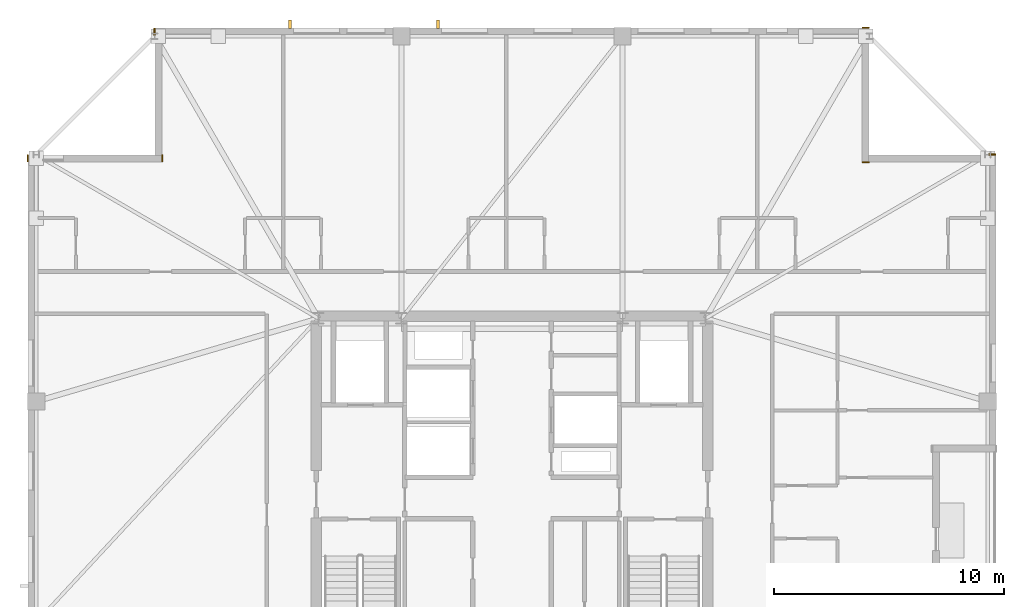
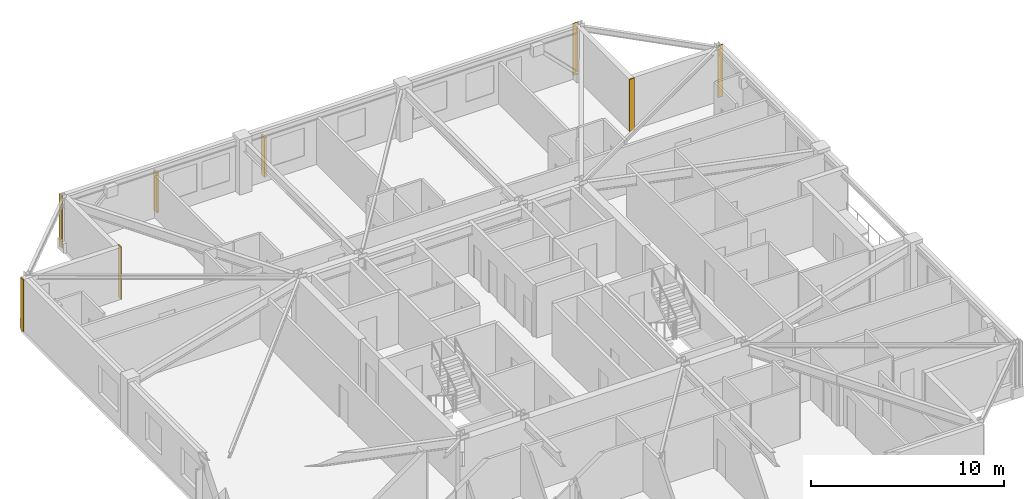
# One storey, part 14 of 14: 6 coverings, 2 shading devices.
"""IFC4 building model written with IfcOpenShell, lengths in metres."""

import ifcopenshell
import ifcopenshell.guid

model = None  # the IFC model being written
_history = None  # IfcOwnerHistory: only IFC2X3 demands one
_inside = {}  # id of a spatial element -> (the spatial element, [elements in it])
_under = {}  # id of a project, library or spatial element -> (it, [spatial elements below it])
_declared = {}  # id of a project -> (the project, [libraries it declares])
_typed = {}  # id of a type object -> (the type object, [elements of that type])
_made_of = {}  # id of a material, layer set ... -> (it, [elements and type objects made of it])


def new_model(schema):
    """Start an empty IFC model of exactly this schema.

    Asked for "IFC4X3", IfcOpenShell would pick the latest addendum, in which some entities
    have other attributes; the version numbers below select the first issue.
    IFC2X3 requires an IfcOwnerHistory on every rooted entity: one is made here for all.
    """
    global model, _history
    if schema == "IFC4X3":
        model = ifcopenshell.file(schema_version=(4, 3, 0, 0))
    else:
        model = ifcopenshell.file(schema=schema)
    _inside.clear()
    _under.clear()
    _declared.clear()
    _typed.clear()
    _made_of.clear()
    _history = None
    if model.schema == "IFC2X3":
        org = make("IfcOrganization", Name="unknown")
        user = make(
            "IfcPersonAndOrganization",
            ThePerson=make("IfcPerson", FamilyName="unknown"),
            TheOrganization=org,
        )
        app = make(
            "IfcApplication",
            ApplicationDeveloper=org,
            Version="unknown",
            ApplicationFullName="unknown",
            ApplicationIdentifier="unknown",
        )
        _history = make(
            "IfcOwnerHistory",
            OwningUser=user,
            OwningApplication=app,
            ChangeAction="ADDED",
            CreationDate=0,
        )
    return model


def make(cls, **values):
    """One entity of the class cls with the attributes given. An attribute that is None is left unset."""
    return model.create_entity(
        cls, **{name: value for name, value in values.items() if value is not None}
    )


def rooted(cls, **values):
    """An entity with a GlobalId (a new one), such as an element, a storey or a relation."""
    return make(cls, GlobalId=ifcopenshell.guid.new(), OwnerHistory=_history, **values)


def si_unit(unit_type, name, prefix=None):
    """IfcSIUnit, for example si_unit("LENGTHUNIT", "METRE", prefix="MILLI")."""
    return make("IfcSIUnit", UnitType=unit_type, Prefix=prefix, Name=name)


def assignment(units):
    """IfcUnitAssignment: the units of a project."""
    return None if units is None else make("IfcUnitAssignment", Units=units)


def point(xyz):
    """IfcCartesianPoint."""
    return None if xyz is None else make("IfcCartesianPoint", Coordinates=xyz)


def direction(xyz):
    """IfcDirection."""
    return None if xyz is None else make("IfcDirection", DirectionRatios=xyz)


def frame(location, z_axis=None, x_axis=None):
    """IfcAxis2Placement3D, a coordinate frame: its origin and axes. An axis left out is left unset."""
    return make(
        "IfcAxis2Placement3D",
        Location=point(location),
        Axis=direction(z_axis),
        RefDirection=direction(x_axis),
    )


def frame_2d(location, x_axis=None):
    """IfcAxis2Placement2D, a coordinate frame in the plane: its origin and x axis."""
    return make(
        "IfcAxis2Placement2D", Location=point(location), RefDirection=direction(x_axis)
    )


def origin():
    """The frame at (0, 0, 0) with its axes left unset."""
    return frame((0.0, 0.0, 0.0))


def origin_2d():
    """The frame at (0, 0) in the plane with its x axis left unset."""
    return frame_2d((0.0, 0.0))


def place(relative_to, where):
    """IfcLocalPlacement: puts the frame where relative to a parent placement (None: the world)."""
    return make(
        "IfcLocalPlacement", PlacementRelTo=relative_to, RelativePlacement=where
    )


def context(
    kind, dimensions, precision=None, world=None, true_north=None, identifier=None
):
    """IfcGeometricRepresentationContext, for example the 3D "Model" context."""
    return make(
        "IfcGeometricRepresentationContext",
        ContextIdentifier=identifier,
        ContextType=kind,
        CoordinateSpaceDimension=dimensions,
        Precision=precision,
        WorldCoordinateSystem=world,
        TrueNorth=true_north,
    )


def subcontext(parent, identifier, kind, view, scale=None):
    """IfcGeometricRepresentationSubContext, for example "Body" below "Model"."""
    return make(
        "IfcGeometricRepresentationSubContext",
        ContextIdentifier=identifier,
        ContextType=kind,
        ParentContext=parent,
        TargetScale=scale,
        TargetView=view,
    )


def project(units=None, contexts=None):
    """IfcProject with its units and contexts."""
    return rooted(
        "IfcProject",
        Name="project",
        RepresentationContexts=contexts,
        UnitsInContext=assignment(units),
    )


def spatial(cls, under=None, at=None, **own):
    """A site, building, storey or space (cls), placed at a placement, below another one or the project."""
    s = rooted(cls, ObjectPlacement=at, **own)
    if under is not None:
        _under.setdefault(under.id(), (under, []))[1].append(s)
    return s


def profile(cls, at=None, kind="AREA", **sizes):
    """A parametric profile (cls). Its sizes go by their IFC names, for example OverallWidth=200.0."""
    return make(cls, ProfileType=kind, Position=at, **sizes)


def rectangle(**sizes):
    """IfcRectangleProfileDef."""
    return profile("IfcRectangleProfileDef", **sizes)


def extrude(swept, where, along, depth):
    """IfcExtrudedAreaSolid: the profile swept, set in the frame where, extruded along a direction by depth."""
    return make(
        "IfcExtrudedAreaSolid",
        SweptArea=swept,
        Position=where,
        ExtrudedDirection=direction(along),
        Depth=depth,
    )


def shape(context_of_items, identifier, shape_type, items):
    """IfcShapeRepresentation: the items that make up one representation, for example the "Body"."""
    return make(
        "IfcShapeRepresentation",
        ContextOfItems=context_of_items,
        RepresentationIdentifier=identifier,
        RepresentationType=shape_type,
        Items=items,
    )


def material(Name=None, Category=None):
    """IfcMaterial."""
    return make("IfcMaterial", Name=Name, Category=Category)


def layer(
    of_material, thickness, ventilated=None, Name=None, Category=None, Priority=None
):
    """IfcMaterialLayer: one layer of a wall or slab, of a material (None: an air gap)."""
    return make(
        "IfcMaterialLayer",
        Material=of_material,
        LayerThickness=thickness,
        IsVentilated=ventilated,
        Name=Name,
        Category=Category,
        Priority=Priority,
    )


def layer_set(layers, Name=None):
    """IfcMaterialLayerSet."""
    return make("IfcMaterialLayerSet", MaterialLayers=layers, LayerSetName=Name)


def made_of(thing, what):
    """Note that an element or type object is made of a material, layer set ...; save() writes the relation."""
    if what is not None:
        _made_of.setdefault(what.id(), (what, []))[1].append(thing)
    return thing


def type_object(cls, material=None, **own):
    """A type object (cls), such as IfcWallType, which elements share."""
    return made_of(rooted(cls, **own), material)


def element(
    cls,
    number,
    at=None,
    inside=None,
    cuts=None,
    type_object=None,
    material=None,
    context=None,
    identifier="Body",
    shape_type=None,
    held_by="IfcProductDefinitionShape",
    body=None,
    shapes=None,
    **own,
):
    """One element of the class cls, such as IfcWall. Its Tag is "e" and its number.

    at: its placement. inside: the storey or other place that contains it. cuts: it is an
    opening in that element (IfcRelVoidsElement). A single representation is given by context,
    identifier, shape_type and body (its items); several are given by shapes. held_by: the class
    of the entity that holds the representations. save() writes the other relations.
    """
    e = rooted(cls, Tag="e%d" % number, ObjectPlacement=at, **own)
    if body is not None:
        shapes = [shape(context, identifier, shape_type, body)]
    if shapes is not None:
        e.Representation = make(held_by, Representations=shapes)
    if inside is not None:
        _inside.setdefault(inside.id(), (inside, []))[1].append(e)
    if cuts is not None:
        rooted(
            "IfcRelVoidsElement", RelatingBuildingElement=cuts, RelatedOpeningElement=e
        )
    if type_object is not None:
        _typed.setdefault(type_object.id(), (type_object, []))[1].append(e)
    return made_of(e, material)


def aggregate(whole, parts):
    """IfcRelAggregates: a whole, such as a stair, and the parts it consists of."""
    return rooted("IfcRelAggregates", RelatingObject=whole, RelatedObjects=parts)


def save(model, path):
    """Write the relations noted so far, then the file.

    IfcRelAggregates (storeys below a building ...), IfcRelContainedInSpatialStructure (elements
    in a storey), IfcRelDefinesByType, IfcRelAssociatesMaterial and IfcRelDeclares: one each for
    every whole, place, type object, material and project.
    """
    for whole, parts in _under.values():
        aggregate(whole, parts)
    for where, things in _inside.values():
        rooted(
            "IfcRelContainedInSpatialStructure",
            RelatedElements=things,
            RelatingStructure=where,
        )
    for kind, things in _typed.values():
        rooted("IfcRelDefinesByType", RelatedObjects=things, RelatingType=kind)
    for what, things in _made_of.values():
        rooted("IfcRelAssociatesMaterial", RelatedObjects=things, RelatingMaterial=what)
    for by, libraries in _declared.values():
        rooted("IfcRelDeclares", RelatingContext=by, RelatedDefinitions=libraries)
    model.write(path)


model = new_model("IFC4")

# Units and contexts
model_context = context("Model", 3, precision=1e-05, world=origin(), true_north=direction((0.0, 1.0)))
body_context = subcontext(model_context, "Body", "Model", "MODEL_VIEW")
ifc_project = project(units=[si_unit("LENGTHUNIT", "METRE"), si_unit("AREAUNIT", "SQUARE_METRE"), si_unit("VOLUMEUNIT", "CUBIC_METRE"), si_unit("PLANEANGLEUNIT", "RADIAN"), si_unit("MASSUNIT", "GRAM", prefix="KILO")], contexts=[model_context])

# Site, building, storey
site_placement = place(None, origin())
site = spatial("IfcSite", under=ifc_project, at=site_placement, CompositionType="ELEMENT")
building_placement = place(site_placement, origin())
building = spatial("IfcBuilding", under=site, at=building_placement, Name="Cairnveth Concourse Tower", CompositionType="ELEMENT")
storey_placement = place(building_placement, frame((0.0, 0.0, 301.5)))
storey = spatial("IfcBuildingStorey", under=building, at=storey_placement, Name="L83", CompositionType="ELEMENT", Elevation=301.5)

# Coverings
ifc_material_1 = material(Name="Dressed Melbourne Bluestone Cladding", Category="masonry")
ifc_layer = layer(ifc_material_1, 0.050048828125)
ifc_layer_set = layer_set([ifc_layer], Name="Dressed Melbourne Bluestone Cladding")
covering_type = type_object("IfcCoveringType", Name="DRESSED BLUESTONE PLINTH CLADDING 50", PredefinedType="CLADDING", material=ifc_layer_set)
for number, where, z_axis, x_axis, name in (
    (1, (30.97998046875, 54.199951171875, 0.0), (0.0, 0.0, 1.0), (0.0, 1.0, 0.0), "Melbourne Bluestone Corner Quoin L83-1266"),
    (2, (36.820068359375, 54.199951171875, 0.0), (0.0, 0.0, 1.0), (0.0, 1.0, 0.0), "Melbourne Bluestone Corner Quoin L83-1267"),
    (3, (36.47998046875, 59.699951171875, 0.0), (0.0, 0.0, 1.0), (0.0, 1.0, 0.0), "Melbourne Bluestone Corner Quoin L83-1268"),
    (4, (67.199951171875, 60.02001953125, 0.0), (0.0, 0.0, 1.0), (1.0, 0.0, 0.0), "Melbourne Bluestone Corner Quoin L83-1269"),
    (5, (67.199951171875, 54.179931640625, 0.0), (0.0, 0.0, 1.0), (1.0, 0.0, 0.0), "Melbourne Bluestone Corner Quoin L83-1270"),
    (6, (72.699951171875, 54.52001953125, 0.0), (0.0, 0.0, 1.0), (1.0, 0.0, 0.0), "Melbourne Bluestone Corner Quoin L83-1271"),
):
    element("IfcCovering", number, at=place(storey_placement, frame(where, z_axis=z_axis, x_axis=x_axis)), inside=storey, type_object=covering_type, Name=name, PredefinedType="CLADDING", context=body_context, shape_type="SweptSolid", body=[
        extrude(rectangle(XDim=0.300048828125, YDim=0.050048828125, at=frame_2d((0.14990234375, 0.0))), origin(), (0.0, 0.0, 1.0), 3.2900390625),
    ])

# Shading devices
ifc_material_2 = material(Name="Architectural Bronze Anodised Aluminium 6063-T6", Category="aluminium")
shading_device_type = type_object("IfcShadingDeviceType", Name="GOTHIC BRONZE VERTICAL LANCET FIN", PredefinedType="USERDEFINED", material=ifc_material_2)
for number, where, z_axis, x_axis, name in (
    (7, (42.3583984375, 60.175048828125, 0.030029296875), (0.0, 0.0, 1.0), (1.0, 0.0, 0.0), "Gothic Bronze Vertical Fin L83-9-1"),
    (8, (48.782470703125, 60.175048828125, 0.030029296875), (0.0, 0.0, 1.0), (1.0, 0.0, 0.0), "Gothic Bronze Vertical Fin L83-9-3"),
):
    element("IfcShadingDevice", number, at=place(storey_placement, frame(where, z_axis=z_axis, x_axis=x_axis)), inside=storey, type_object=shading_device_type, Name=name, ObjectType="VERTICAL FIN", PredefinedType="USERDEFINED", context=body_context, shape_type="SweptSolid", body=[
        extrude(rectangle(XDim=0.1201171875, YDim=0.360107421875, at=origin_2d()), origin(), (0.0, 0.0, 1.0), 2.51806640625),
    ])

save(model, "model.ifc")
